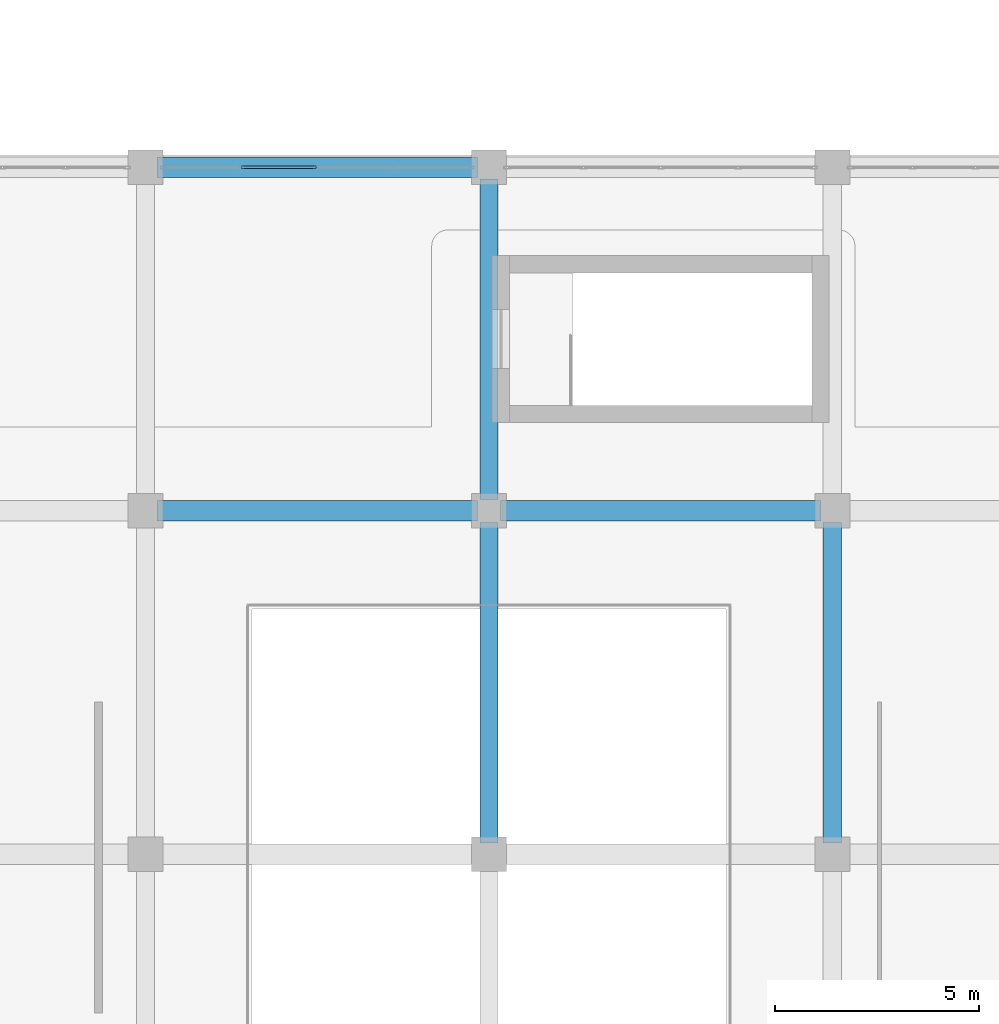
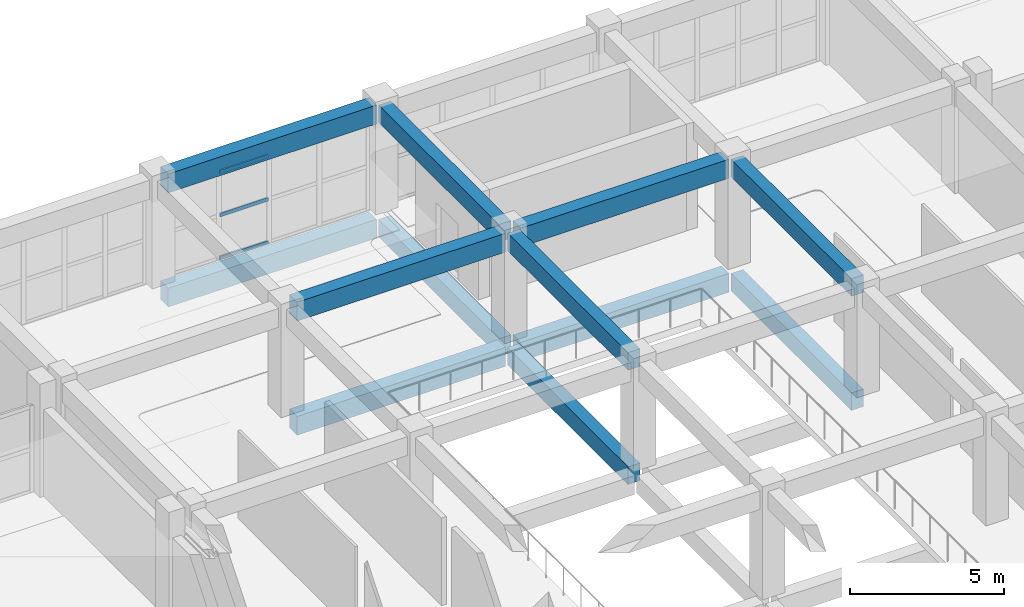
# One storey, part 65 of 129: 12 beams, 3 members, 1 element without a shape of its own.
"""IFC4 building model written with IfcOpenShell, lengths in metres."""

from ifc_helpers import new_model, si_unit, direction, frame, origin, origin_2d, place, context, subcontext, project, spatial, rectangle, hollow_rectangle, extrude, material, layer, layer_set, material_profile, profile_set, type_object, element, aggregate, save


model = new_model("IFC4")

# Units and contexts
model_context = context("Model", 3, precision=1e-05, world=origin(), true_north=direction((0.0, 1.0)))
body_context = subcontext(model_context, "Body", "Model", "MODEL_VIEW")
ifc_project = project(units=[si_unit("LENGTHUNIT", "METRE"), si_unit("AREAUNIT", "SQUARE_METRE"), si_unit("VOLUMEUNIT", "CUBIC_METRE"), si_unit("PLANEANGLEUNIT", "RADIAN"), si_unit("MASSUNIT", "GRAM", prefix="KILO")], contexts=[model_context])

# Site, building, storey
site_placement = place(None, origin())
site = spatial("IfcSite", under=ifc_project, at=site_placement, CompositionType="ELEMENT")
building_placement = place(site_placement, origin())
building = spatial("IfcBuilding", under=site, at=building_placement, Name="Xazarin Passage Department Store", CompositionType="ELEMENT")
storey_placement = place(building_placement, frame((0.0, 0.0, 9.89990234375)))
storey = spatial("IfcBuildingStorey", under=building, at=storey_placement, Name="L02", CompositionType="ELEMENT", Elevation=9.89990234375)

# Curtain wall, members
ifc_material_1 = material(Name="Bronze anodised aluminium", Category="aluminium")
ifc_layer = layer(ifc_material_1, 0.169921875)
ifc_layer_set = layer_set([ifc_layer], Name="Bronze anodised aluminium")
curtain_wall_type = type_object("IfcCurtainWallType", Name="ARC-CW-ARC2", PredefinedType="NOTDEFINED", material=ifc_layer_set)
curtain_wall_placement = place(storey_placement, origin())
curtain_wall = element("IfcCurtainWall", 1, at=curtain_wall_placement, inside=storey, type_object=curtain_wall_type, Name="L02 V2N Curtain Wall 115", PredefinedType="NOTDEFINED")
ifc_material_profile_1 = material_profile(ifc_material_1, hollow_rectangle(XDim=0.06494140625, YDim=0.139892578125, WallThickness=0.00390625, at=origin_2d()), Name="ALU 65x140")
ifc_profile_set_1 = profile_set([ifc_material_profile_1], Name="Bronze anodised aluminium")
member_type = type_object("IfcMemberType", Name="ARC-CWT-65x140", PredefinedType="USERDEFINED", material=ifc_profile_set_1)
member_1_placement = place(storey_placement, frame((78.7451171875, 93.199951171875, 0.03271484375), z_axis=(1.0, 0.0, 0.0), x_axis=(0.0, 1.0, 0.0)))
member_1 = element("IfcMember", 2, at=member_1_placement, type_object=member_type, Name="CW4 transom 2.1", ObjectType="TRANSOM", PredefinedType="USERDEFINED", context=body_context, shape_type="SweptSolid", body=[
    extrude(hollow_rectangle(XDim=0.06494140625, YDim=0.139892578125, WallThickness=0.00390625, at=origin_2d()), origin(), (0.0, 0.0, 1.0), 1.822265625),
])
member_2_placement = place(storey_placement, frame((78.7451171875, 93.199951171875, 1.7451171875), z_axis=(1.0, 0.0, 0.0), x_axis=(0.0, 1.0, 0.0)))
member_2 = element("IfcMember", 3, at=member_2_placement, type_object=member_type, Name="CW4 transom 2.2", ObjectType="TRANSOM", PredefinedType="USERDEFINED", context=body_context, shape_type="SweptSolid", body=[
    extrude(hollow_rectangle(XDim=0.06494140625, YDim=0.139892578125, WallThickness=0.00390625, at=origin_2d()), origin(), (0.0, 0.0, 1.0), 1.822265625),
])
member_3_placement = place(storey_placement, frame((78.7451171875, 93.199951171875, 3.45751953125), z_axis=(1.0, 0.0, 0.0), x_axis=(0.0, 1.0, 0.0)))
member_3 = element("IfcMember", 4, at=member_3_placement, type_object=member_type, Name="CW4 transom 2.3", ObjectType="TRANSOM", PredefinedType="USERDEFINED", context=body_context, shape_type="SweptSolid", body=[
    extrude(hollow_rectangle(XDim=0.06494140625, YDim=0.139892578125, WallThickness=0.00390625, at=origin_2d()), origin(), (0.0, 0.0, 1.0), 1.822265625),
])
aggregate(curtain_wall, [member_1, member_2, member_3])

# Beams
ifc_material_2 = material(Name="Concrete C35/45", Category="concrete")
ifc_material_profile_2 = material_profile(ifc_material_2, rectangle(XDim=0.449951171875, YDim=0.699951171875, at=origin_2d()), Name="RC 450x700")
ifc_profile_set_2 = profile_set([ifc_material_profile_2], Name="Concrete C35/45")
beam_type_1 = type_object("IfcBeamType", Name="STR-BM-G450x700", PredefinedType="BEAM", material=ifc_profile_set_2)
beam_1_placement = place(storey_placement, frame((84.800048828125, 76.679931640625, -0.64990234375), z_axis=(0.0, 1.0, 0.0), x_axis=(-1.0, 0.0, 0.0)))
element("IfcBeam", 5, at=beam_1_placement, inside=storey, type_object=beam_type_1, Name="L02 Grid Beam 12/L-M", PredefinedType="BEAM", context=body_context, shape_type="SweptSolid", body=[
    extrude(rectangle(XDim=0.449951171875, YDim=0.699951171875, at=origin_2d()), origin(), (0.0, 0.0, 1.0), 7.840087890625),
])
beam_2_placement = place(storey_placement, frame((84.800048828125, 85.080078125, -0.64990234375), z_axis=(0.0, 1.0, 0.0), x_axis=(-1.0, 0.0, 0.0)))
element("IfcBeam", 6, at=beam_2_placement, inside=storey, type_object=beam_type_1, Name="L02 Grid Beam 12/M-N", PredefinedType="BEAM", context=body_context, shape_type="SweptSolid", body=[
    extrude(rectangle(XDim=0.449951171875, YDim=0.699951171875, at=origin_2d()), origin(), (0.0, 0.0, 1.0), 7.83984375),
])
for number, where, z_axis, x_axis, name in (
    (7, (93.199951171875, 76.679931640625, -0.64990234375), (0.0, 1.0, 0.0), (-1.0, 0.0, 0.0), "L02 Grid Beam 13/L-M"),
    (8, (84.800048828125, 76.679931640625, 3.89013671875), (0.0, 1.0, 0.0), (-1.0, 0.0, 0.0), "L02 Grid Beam 12/L-M"),
):
    element("IfcBeam", number, at=place(storey_placement, frame(where, z_axis=z_axis, x_axis=x_axis)), inside=storey, type_object=beam_type_1, Name=name, PredefinedType="BEAM", context=body_context, shape_type="SweptSolid", body=[
        extrude(rectangle(XDim=0.449951171875, YDim=0.699951171875, at=origin_2d()), origin(), (0.0, 0.0, 1.0), 7.840087890625),
    ])
beam_3_placement = place(storey_placement, frame((84.800048828125, 85.080078125, 3.89013671875), z_axis=(0.0, 1.0, 0.0), x_axis=(-1.0, 0.0, 0.0)))
element("IfcBeam", 9, at=beam_3_placement, inside=storey, type_object=beam_type_1, Name="L02 Grid Beam 12/M-N", PredefinedType="BEAM", context=body_context, shape_type="SweptSolid", body=[
    extrude(rectangle(XDim=0.449951171875, YDim=0.699951171875, at=origin_2d()), origin(), (0.0, 0.0, 1.0), 7.83984375),
])
beam_4_placement = place(storey_placement, frame((93.199951171875, 76.679931640625, 3.89013671875), z_axis=(0.0, 1.0, 0.0), x_axis=(-1.0, 0.0, 0.0)))
element("IfcBeam", 10, at=beam_4_placement, inside=storey, type_object=beam_type_1, Name="L02 Grid Beam 13/L-M", PredefinedType="BEAM", context=body_context, shape_type="SweptSolid", body=[
    extrude(rectangle(XDim=0.449951171875, YDim=0.699951171875, at=origin_2d()), origin(), (0.0, 0.0, 1.0), 7.840087890625),
])
ifc_material_profile_3 = material_profile(ifc_material_2, rectangle(XDim=0.5, YDim=0.75, at=origin_2d()), Name="RC 500x750")
ifc_profile_set_3 = profile_set([ifc_material_profile_3], Name="Concrete C35/45")
beam_type_2 = type_object("IfcBeamType", Name="STR-BM-SP500x750", PredefinedType="SPANDREL", material=ifc_profile_set_3)
beam_5_placement = place(storey_placement, frame((76.679931640625, 84.800048828125, -0.6748046875), z_axis=(1.0, 0.0, 0.0), x_axis=(0.0, 1.0, 0.0)))
element("IfcBeam", 11, at=beam_5_placement, inside=storey, type_object=beam_type_2, Name="L02 Grid Beam M/11-12", PredefinedType="SPANDREL", context=body_context, shape_type="SweptSolid", body=[
    extrude(rectangle(XDim=0.5, YDim=0.75, at=origin_2d()), origin(), (0.0, 0.0, 1.0), 7.840087890625),
])
beam_6_placement = place(storey_placement, frame((85.080078125, 84.800048828125, -0.6748046875), z_axis=(1.0, 0.0, 0.0), x_axis=(0.0, 1.0, 0.0)))
element("IfcBeam", 12, at=beam_6_placement, inside=storey, type_object=beam_type_2, Name="L02 Grid Beam M/12-13", PredefinedType="SPANDREL", context=body_context, shape_type="SweptSolid", body=[
    extrude(rectangle(XDim=0.5, YDim=0.75, at=origin_2d()), origin(), (0.0, 0.0, 1.0), 7.83984375),
])
for number, where, z_axis, x_axis, name in (
    (13, (76.679931640625, 93.199951171875, -0.6748046875), (1.0, 0.0, 0.0), (0.0, 1.0, 0.0), "L02 Grid Beam N/11-12"),
    (14, (76.679931640625, 84.800048828125, 3.864990234375), (1.0, 0.0, 0.0), (0.0, 1.0, 0.0), "L02 Grid Beam M/11-12"),
):
    element("IfcBeam", number, at=place(storey_placement, frame(where, z_axis=z_axis, x_axis=x_axis)), inside=storey, type_object=beam_type_2, Name=name, PredefinedType="SPANDREL", context=body_context, shape_type="SweptSolid", body=[
        extrude(rectangle(XDim=0.5, YDim=0.75, at=origin_2d()), origin(), (0.0, 0.0, 1.0), 7.840087890625),
    ])
beam_7_placement = place(storey_placement, frame((85.080078125, 84.800048828125, 3.864990234375), z_axis=(1.0, 0.0, 0.0), x_axis=(0.0, 1.0, 0.0)))
element("IfcBeam", 15, at=beam_7_placement, inside=storey, type_object=beam_type_2, Name="L02 Grid Beam M/12-13", PredefinedType="SPANDREL", context=body_context, shape_type="SweptSolid", body=[
    extrude(rectangle(XDim=0.5, YDim=0.75, at=origin_2d()), origin(), (0.0, 0.0, 1.0), 7.83984375),
])
beam_8_placement = place(storey_placement, frame((76.679931640625, 93.199951171875, 3.864990234375), z_axis=(1.0, 0.0, 0.0), x_axis=(0.0, 1.0, 0.0)))
element("IfcBeam", 16, at=beam_8_placement, inside=storey, type_object=beam_type_2, Name="L02 Grid Beam N/11-12", PredefinedType="SPANDREL", context=body_context, shape_type="SweptSolid", body=[
    extrude(rectangle(XDim=0.5, YDim=0.75, at=origin_2d()), origin(), (0.0, 0.0, 1.0), 7.840087890625),
])

save(model, "model.ifc")
